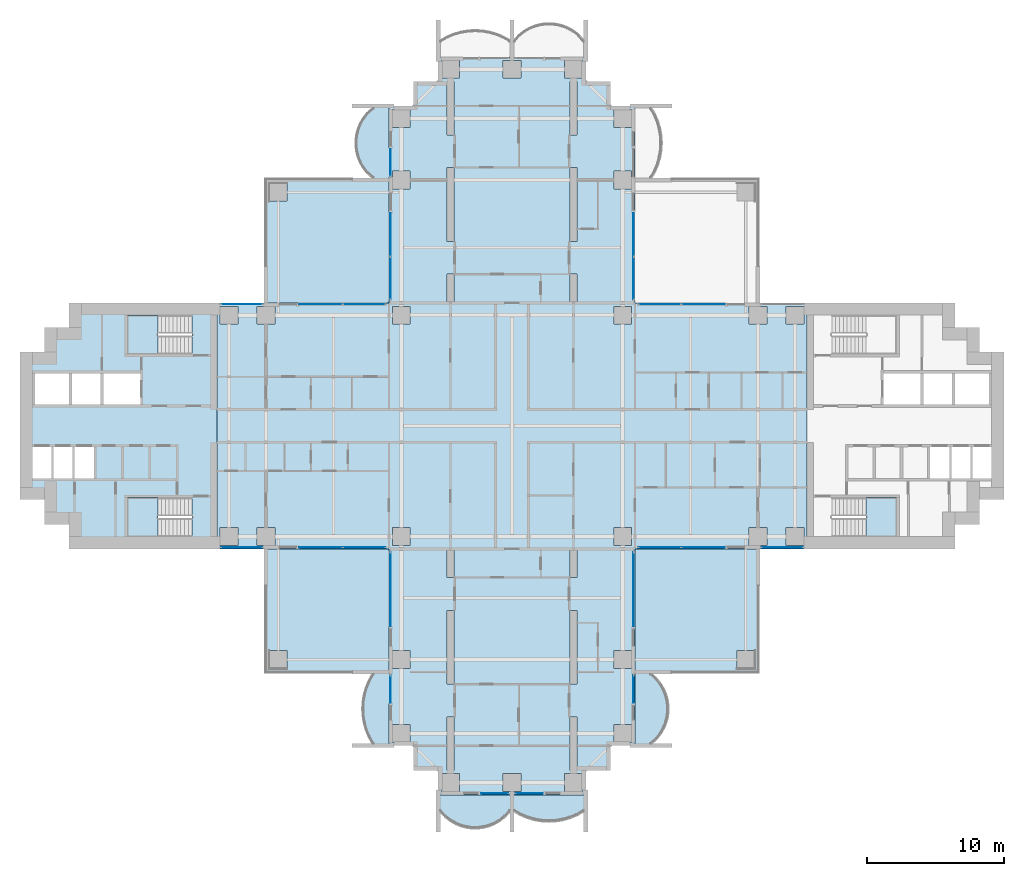
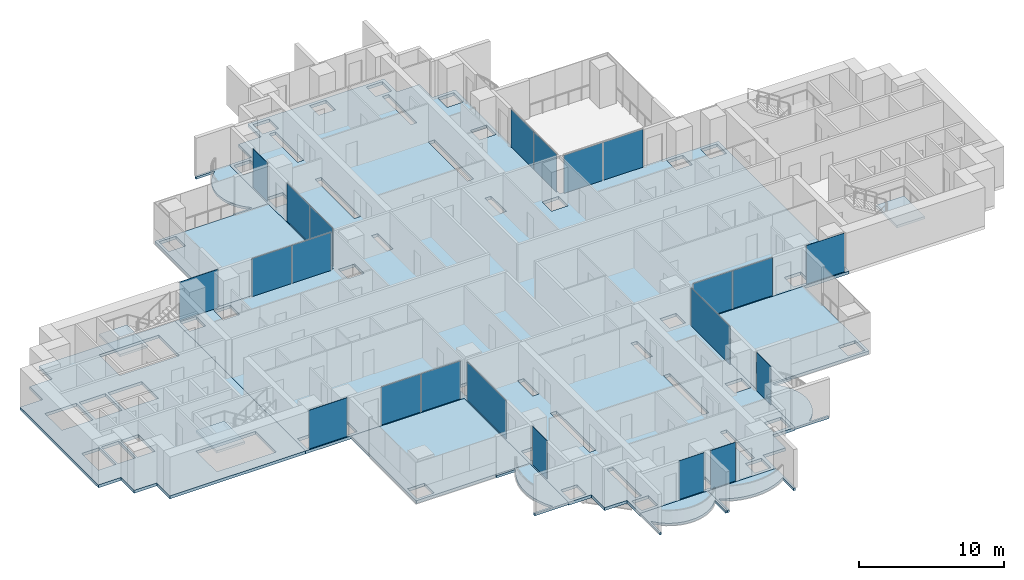
# One storey, part 8 of 20: 22 plates, 13 slabs, 19 elements without a shape of their own.
"""IFC4 building model written with IfcOpenShell, lengths in metres."""

from ifc_helpers import new_model, si_unit, direction, frame, origin, origin_2d, place, context, subcontext, project, spatial, polyline, rectangle, outline, extrude, material, layer, layer_set, type_object, element, aggregate, save


model = new_model("IFC4")

# Units and contexts
model_context = context("Model", 3, precision=1e-05, world=origin(), true_north=direction((0.0, 1.0)))
body_context = subcontext(model_context, "Body", "Model", "MODEL_VIEW")
ifc_project = project(units=[si_unit("LENGTHUNIT", "METRE"), si_unit("AREAUNIT", "SQUARE_METRE"), si_unit("VOLUMEUNIT", "CUBIC_METRE"), si_unit("PLANEANGLEUNIT", "RADIAN"), si_unit("MASSUNIT", "GRAM", prefix="KILO")], contexts=[model_context])

# Site, building, storey
site_placement = place(None, origin())
site = spatial("IfcSite", under=ifc_project, at=site_placement, CompositionType="ELEMENT")
building_placement = place(site_placement, origin())
building = spatial("IfcBuilding", under=site, at=building_placement, Name="Perihelion Cross Residences", CompositionType="ELEMENT")
storey_placement = place(building_placement, frame((0.0, 0.0, 78.5)))
storey = spatial("IfcBuildingStorey", under=building, at=storey_placement, Name="L17", CompositionType="ELEMENT", Elevation=78.5)

# Slabs
ifc_material_1 = material(Name="Concrete C40/50", Category="concrete")
ifc_layer_1 = layer(ifc_material_1, 0.199951171875)
ifc_layer_set_1 = layer_set([ifc_layer_1], Name="Balcony slab 200")
slab_type_1 = type_object("IfcSlabType", Name="Balcony slab 200", PredefinedType="FLOOR", material=ifc_layer_set_1)
slab_1_placement = place(storey_placement, frame((0.0, 0.0, -0.199951171875)))
element("IfcSlab", 1, at=slab_1_placement, inside=storey, type_object=slab_type_1, Name="Slab BK1 L17 north side west bay 1 balcony", PredefinedType="FLOOR", context=body_context, shape_type="SweptSolid", body=[
    extrude(outline(polyline([(-9.0, 23.39990234375), (-9.0, 18.0), (-11.699951171875, 18.0), (-11.699951171875, 18.14990234375), (-10.199951171875, 18.14990234375), (-10.622314453125, 18.542236328125), (-10.924072265625, 18.9345703125), (-11.143310546875, 19.326904296875), (-11.29736328125, 19.71923828125), (-11.39599609375, 20.111572265625), (-11.444091796875, 20.50390625), (-11.444091796875, 20.896240234375), (-11.39599609375, 21.28857421875), (-11.29736328125, 21.6806640625), (-11.143310546875, 22.072998046875), (-10.924072265625, 22.46533203125), (-10.622314453125, 22.857666015625), (-10.199951171875, 23.25), (-11.699951171875, 23.25), (-11.699951171875, 23.39990234375), (-9.0, 23.39990234375)])), origin(), (0.0, 0.0, 1.0), 0.199951171875),
])
slab_2_placement = place(storey_placement, frame((0.0, 0.0, -0.199951171875)))
element("IfcSlab", 2, at=slab_2_placement, inside=storey, type_object=slab_type_1, Name="Slab BK1 L17 south side west bay 2 balcony", PredefinedType="FLOOR", context=body_context, shape_type="SweptSolid", body=[
    extrude(outline(polyline([(-9.0, -18.0), (-9.0, -23.39990234375), (-11.699951171875, -23.39990234375), (-11.699951171875, -23.25), (-10.199951171875, -23.25), (-10.4853515625, -22.739990234375), (-10.694580078125, -22.22998046875), (-10.838134765625, -21.719970703125), (-10.92236328125, -21.2099609375), (-10.949951171875, -20.699951171875), (-10.92236328125, -20.18994140625), (-10.838134765625, -19.679931640625), (-10.694580078125, -19.169921875), (-10.4853515625, -18.659912109375), (-10.199951171875, -18.14990234375), (-11.699951171875, -18.14990234375), (-11.699951171875, -18.0), (-9.0, -18.0)])), origin(), (0.0, 0.0, 1.0), 0.199951171875),
])
slab_3_placement = place(storey_placement, frame((0.0, 0.0, -0.199951171875)))
element("IfcSlab", 3, at=slab_3_placement, inside=storey, type_object=slab_type_1, Name="Slab BK1 L17 south tip south bay 1 balcony", PredefinedType="FLOOR", context=body_context, shape_type="SweptSolid", body=[
    extrude(outline(polyline([(-5.39990234375, -27.0), (0.0, -27.0), (0.0, -29.699951171875), (-0.14990234375, -29.699951171875), (-0.14990234375, -28.199951171875), (-0.542236328125, -28.622314453125), (-0.9345703125, -28.924072265625), (-1.326904296875, -29.143310546875), (-1.71923828125, -29.29736328125), (-2.111572265625, -29.39599609375), (-2.50390625, -29.444091796875), (-2.896240234375, -29.444091796875), (-3.28857421875, -29.39599609375), (-3.6806640625, -29.29736328125), (-4.072998046875, -29.143310546875), (-4.46533203125, -28.924072265625), (-4.857666015625, -28.622314453125), (-5.25, -28.199951171875), (-5.25, -29.699951171875), (-5.39990234375, -29.699951171875), (-5.39990234375, -27.0)])), origin(), (0.0, 0.0, 1.0), 0.199951171875),
])
slab_4_placement = place(storey_placement, frame((0.0, 0.0, -0.199951171875)))
element("IfcSlab", 4, at=slab_4_placement, inside=storey, type_object=slab_type_1, Name="Slab BK1 L17 south tip south bay 2 balcony", PredefinedType="FLOOR", context=body_context, shape_type="SweptSolid", body=[
    extrude(outline(polyline([(0.0, -27.0), (5.39990234375, -27.0), (5.39990234375, -29.699951171875), (5.25, -29.699951171875), (5.25, -28.199951171875), (4.739990234375, -28.4853515625), (4.22998046875, -28.694580078125), (3.719970703125, -28.838134765625), (3.2099609375, -28.92236328125), (2.699951171875, -28.949951171875), (2.18994140625, -28.92236328125), (1.679931640625, -28.838134765625), (1.169921875, -28.694580078125), (0.659912109375, -28.4853515625), (0.14990234375, -28.199951171875), (0.14990234375, -29.699951171875), (0.0, -29.699951171875), (0.0, -27.0)])), origin(), (0.0, 0.0, 1.0), 0.199951171875),
])
slab_5_placement = place(storey_placement, frame((0.0, 0.0, -0.199951171875)))
element("IfcSlab", 5, at=slab_5_placement, inside=storey, type_object=slab_type_1, Name="Slab BK1 L17 south side east bay 1 balcony", PredefinedType="FLOOR", context=body_context, shape_type="SweptSolid", body=[
    extrude(outline(polyline([(9.0, -23.39990234375), (9.0, -18.0), (11.699951171875, -18.0), (11.699951171875, -18.14990234375), (10.199951171875, -18.14990234375), (10.622314453125, -18.542236328125), (10.924072265625, -18.9345703125), (11.143310546875, -19.326904296875), (11.29736328125, -19.71923828125), (11.39599609375, -20.111572265625), (11.444091796875, -20.50390625), (11.444091796875, -20.896240234375), (11.39599609375, -21.28857421875), (11.29736328125, -21.6806640625), (11.143310546875, -22.072998046875), (10.924072265625, -22.46533203125), (10.622314453125, -22.857666015625), (10.199951171875, -23.25), (11.699951171875, -23.25), (11.699951171875, -23.39990234375), (9.0, -23.39990234375)])), origin(), (0.0, 0.0, 1.0), 0.199951171875),
])

# Curtain wall, plates
ifc_material_2 = material(Name="Bronze anodised aluminium, tinted glazing", Category="aluminium")
curtain_wall_type = type_object("IfcCurtainWallType", Name="CW1", PredefinedType="NOTDEFINED", material=ifc_material_2)
curtain_wall_1_placement = place(storey_placement, origin())
curtain_wall_1 = element("IfcCurtainWall", 6, at=curtain_wall_1_placement, inside=storey, type_object=curtain_wall_type, Name="Curtain wall CW1 L17 east side north bay 2", PredefinedType="NOTDEFINED")
ifc_material_3 = material(Name="Tinted laminated glass", Category="glass")
ifc_layer_2 = layer(ifc_material_3, 0.028076171875)
ifc_layer_set_2 = layer_set([ifc_layer_2], Name="CW1 panel")
plate_type = type_object("IfcPlateType", Name="CW1 panel", PredefinedType="CURTAIN_PANEL", material=ifc_layer_set_2)
plate_1_placement = place(storey_placement, frame((13.9775390625, 8.89990234375, 0.0), z_axis=(0.0, 0.0, 1.0), x_axis=(-1.0, 0.0, 0.0)))
plate_1 = element("IfcPlate", 7, at=plate_1_placement, type_object=plate_type, Name="CW1 panel 1", PredefinedType="CURTAIN_PANEL", context=body_context, shape_type="SweptSolid", body=[
    extrude(rectangle(XDim=3.14501953125, YDim=0.028076171875, at=origin_2d()), origin(), (0.0, 0.0, 1.0), 3.18994140625),
])
plate_2_placement = place(storey_placement, frame((10.802490234375, 8.89990234375, 0.0), z_axis=(0.0, 0.0, 1.0), x_axis=(-1.0, 0.0, 0.0)))
plate_2 = element("IfcPlate", 8, at=plate_2_placement, type_object=plate_type, Name="CW1 panel 2", PredefinedType="CURTAIN_PANEL", context=body_context, shape_type="SweptSolid", body=[
    extrude(rectangle(XDim=3.0849609375, YDim=0.028076171875, at=origin_2d()), origin(), (0.0, 0.0, 1.0), 3.18994140625),
])
aggregate(curtain_wall_1, [plate_1, plate_2])

curtain_wall_2_placement = place(storey_placement, origin())
curtain_wall_2 = element("IfcCurtainWall", 9, at=curtain_wall_2_placement, inside=storey, type_object=curtain_wall_type, Name="Curtain wall CW1 L17 north side east bay 1", PredefinedType="NOTDEFINED")
plate_3_placement = place(storey_placement, frame((8.89990234375, 10.802490234375, 0.0), z_axis=(0.0, 0.0, 1.0), x_axis=(0.0, 1.0, 0.0)))
plate_3 = element("IfcPlate", 10, at=plate_3_placement, type_object=plate_type, Name="CW1 panel 1", PredefinedType="CURTAIN_PANEL", context=body_context, shape_type="SweptSolid", body=[
    extrude(rectangle(XDim=3.0849609375, YDim=0.028076171875, at=origin_2d()), origin(), (0.0, 0.0, 1.0), 3.18994140625),
])
plate_4_placement = place(storey_placement, frame((8.89990234375, 13.9775390625, 0.0), z_axis=(0.0, 0.0, 1.0), x_axis=(0.0, 1.0, 0.0)))
plate_4 = element("IfcPlate", 11, at=plate_4_placement, type_object=plate_type, Name="CW1 panel 2", PredefinedType="CURTAIN_PANEL", context=body_context, shape_type="SweptSolid", body=[
    extrude(rectangle(XDim=3.14501953125, YDim=0.028076171875, at=origin_2d()), origin(), (0.0, 0.0, 1.0), 3.18994140625),
])
aggregate(curtain_wall_2, [plate_3, plate_4])

# Curtain wall, plate
curtain_wall_3_placement = place(storey_placement, origin())
curtain_wall_3 = element("IfcCurtainWall", 12, at=curtain_wall_3_placement, inside=storey, type_object=curtain_wall_type, Name="Curtain wall CW1 L17 north side west bay 1", PredefinedType="NOTDEFINED")
plate_5_placement = place(storey_placement, frame((-8.89990234375, 19.2548828125, 0.0), z_axis=(0.0, 0.0, 1.0), x_axis=(0.0, -1.0, 0.0)))
plate_5 = element("IfcPlate", 13, at=plate_5_placement, type_object=plate_type, Name="CW1 panel 1", PredefinedType="CURTAIN_PANEL", context=body_context, shape_type="SweptSolid", body=[
    extrude(rectangle(XDim=1.989990234375, YDim=0.028076171875, at=origin_2d()), origin(), (0.0, 0.0, 1.0), 3.25),
])
aggregate(curtain_wall_3, [plate_5])

# Curtain wall, plates
curtain_wall_4_placement = place(storey_placement, origin())
curtain_wall_4 = element("IfcCurtainWall", 14, at=curtain_wall_4_placement, inside=storey, type_object=curtain_wall_type, Name="Curtain wall CW1 L17 north side west bay 2", PredefinedType="NOTDEFINED")
plate_6_placement = place(storey_placement, frame((-8.89990234375, 13.9775390625, 0.0), z_axis=(0.0, 0.0, 1.0), x_axis=(0.0, -1.0, 0.0)))
plate_6 = element("IfcPlate", 15, at=plate_6_placement, type_object=plate_type, Name="CW1 panel 1", PredefinedType="CURTAIN_PANEL", context=body_context, shape_type="SweptSolid", body=[
    extrude(rectangle(XDim=3.14501953125, YDim=0.028076171875, at=origin_2d()), origin(), (0.0, 0.0, 1.0), 3.18994140625),
])
plate_7_placement = place(storey_placement, frame((-8.89990234375, 10.802490234375, 0.0), z_axis=(0.0, 0.0, 1.0), x_axis=(0.0, -1.0, 0.0)))
plate_7 = element("IfcPlate", 16, at=plate_7_placement, type_object=plate_type, Name="CW1 panel 2", PredefinedType="CURTAIN_PANEL", context=body_context, shape_type="SweptSolid", body=[
    extrude(rectangle(XDim=3.0849609375, YDim=0.028076171875, at=origin_2d()), origin(), (0.0, 0.0, 1.0), 3.18994140625),
])
aggregate(curtain_wall_4, [plate_6, plate_7])

curtain_wall_5_placement = place(storey_placement, origin())
curtain_wall_5 = element("IfcCurtainWall", 17, at=curtain_wall_5_placement, inside=storey, type_object=curtain_wall_type, Name="Curtain wall CW1 L17 west side north bay 1", PredefinedType="NOTDEFINED")
plate_8_placement = place(storey_placement, frame((-10.802490234375, 8.89990234375, 0.0), z_axis=(0.0, 0.0, 1.0), x_axis=(-1.0, 0.0, 0.0)))
plate_8 = element("IfcPlate", 18, at=plate_8_placement, type_object=plate_type, Name="CW1 panel 1", PredefinedType="CURTAIN_PANEL", context=body_context, shape_type="SweptSolid", body=[
    extrude(rectangle(XDim=3.0849609375, YDim=0.028076171875, at=origin_2d()), origin(), (0.0, 0.0, 1.0), 3.18994140625),
])
plate_9_placement = place(storey_placement, frame((-13.9775390625, 8.89990234375, 0.0), z_axis=(0.0, 0.0, 1.0), x_axis=(-1.0, 0.0, 0.0)))
plate_9 = element("IfcPlate", 19, at=plate_9_placement, type_object=plate_type, Name="CW1 panel 2", PredefinedType="CURTAIN_PANEL", context=body_context, shape_type="SweptSolid", body=[
    extrude(rectangle(XDim=3.14501953125, YDim=0.028076171875, at=origin_2d()), origin(), (0.0, 0.0, 1.0), 3.18994140625),
])
aggregate(curtain_wall_5, [plate_8, plate_9])

# Curtain wall, plate
curtain_wall_6_placement = place(storey_placement, origin())
curtain_wall_6 = element("IfcCurtainWall", 20, at=curtain_wall_6_placement, inside=storey, type_object=curtain_wall_type, Name="Curtain wall CW1 L17 west side north bay 2", PredefinedType="NOTDEFINED")
plate_10_placement = place(storey_placement, frame((-19.77490234375, 8.89990234375, 0.0), z_axis=(0.0, 0.0, 1.0), x_axis=(-1.0, 0.0, 0.0)))
plate_10 = element("IfcPlate", 21, at=plate_10_placement, type_object=plate_type, Name="CW1 panel 1", PredefinedType="CURTAIN_PANEL", context=body_context, shape_type="SweptSolid", body=[
    extrude(rectangle(XDim=3.030029296875, YDim=0.028076171875, at=origin_2d()), origin(), (0.0, 0.0, 1.0), 3.25),
])
aggregate(curtain_wall_6, [plate_10])

curtain_wall_7_placement = place(storey_placement, origin())
curtain_wall_7 = element("IfcCurtainWall", 22, at=curtain_wall_7_placement, inside=storey, type_object=curtain_wall_type, Name="Curtain wall CW1 L17 west side south bay 1", PredefinedType="NOTDEFINED")
plate_11_placement = place(storey_placement, frame((-19.77490234375, -8.89990234375, 0.0), z_axis=(0.0, 0.0, 1.0), x_axis=(1.0, 0.0, 0.0)))
plate_11 = element("IfcPlate", 23, at=plate_11_placement, type_object=plate_type, Name="CW1 panel 1", PredefinedType="CURTAIN_PANEL", context=body_context, shape_type="SweptSolid", body=[
    extrude(rectangle(XDim=3.030029296875, YDim=0.028076171875, at=origin_2d()), origin(), (0.0, 0.0, 1.0), 3.25),
])
aggregate(curtain_wall_7, [plate_11])

# Curtain wall, plates
curtain_wall_8_placement = place(storey_placement, origin())
curtain_wall_8 = element("IfcCurtainWall", 24, at=curtain_wall_8_placement, inside=storey, type_object=curtain_wall_type, Name="Curtain wall CW1 L17 west side south bay 2", PredefinedType="NOTDEFINED")
plate_12_placement = place(storey_placement, frame((-13.9775390625, -8.89990234375, 0.0), z_axis=(0.0, 0.0, 1.0), x_axis=(1.0, 0.0, 0.0)))
plate_12 = element("IfcPlate", 25, at=plate_12_placement, type_object=plate_type, Name="CW1 panel 1", PredefinedType="CURTAIN_PANEL", context=body_context, shape_type="SweptSolid", body=[
    extrude(rectangle(XDim=3.14501953125, YDim=0.028076171875, at=origin_2d()), origin(), (0.0, 0.0, 1.0), 3.18994140625),
])
plate_13_placement = place(storey_placement, frame((-10.802490234375, -8.89990234375, 0.0), z_axis=(0.0, 0.0, 1.0), x_axis=(1.0, 0.0, 0.0)))
plate_13 = element("IfcPlate", 26, at=plate_13_placement, type_object=plate_type, Name="CW1 panel 2", PredefinedType="CURTAIN_PANEL", context=body_context, shape_type="SweptSolid", body=[
    extrude(rectangle(XDim=3.0849609375, YDim=0.028076171875, at=origin_2d()), origin(), (0.0, 0.0, 1.0), 3.18994140625),
])
aggregate(curtain_wall_8, [plate_12, plate_13])

# Curtain wall, plate
curtain_wall_9_placement = place(storey_placement, origin())
curtain_wall_9 = element("IfcCurtainWall", 27, at=curtain_wall_9_placement, inside=storey, type_object=curtain_wall_type, Name="Curtain wall CW1 L17 south side west bay 1", PredefinedType="NOTDEFINED")
plate_14_placement = place(storey_placement, frame((-8.89990234375, -11.955078125, 0.0), z_axis=(0.0, 0.0, 1.0), x_axis=(0.0, -1.0, 0.0)))
plate_14 = element("IfcPlate", 28, at=plate_14_placement, type_object=plate_type, Name="CW1 panel 1", PredefinedType="CURTAIN_PANEL", context=body_context, shape_type="SweptSolid", body=[
    extrude(rectangle(XDim=5.389892578125, YDim=0.028076171875, at=origin_2d()), origin(), (0.0, 0.0, 1.0), 3.18994140625),
])
aggregate(curtain_wall_9, [plate_14])

curtain_wall_10_placement = place(storey_placement, origin())
curtain_wall_10 = element("IfcCurtainWall", 29, at=curtain_wall_10_placement, inside=storey, type_object=curtain_wall_type, Name="Curtain wall CW1 L17 south side west bay 2", PredefinedType="NOTDEFINED")
plate_15_placement = place(storey_placement, frame((-8.89990234375, -19.2548828125, 0.0), z_axis=(0.0, 0.0, 1.0), x_axis=(0.0, -1.0, 0.0)))
plate_15 = element("IfcPlate", 30, at=plate_15_placement, type_object=plate_type, Name="CW1 panel 1", PredefinedType="CURTAIN_PANEL", context=body_context, shape_type="SweptSolid", body=[
    extrude(rectangle(XDim=1.989990234375, YDim=0.028076171875, at=origin_2d()), origin(), (0.0, 0.0, 1.0), 3.25),
])
aggregate(curtain_wall_10, [plate_15])

curtain_wall_11_placement = place(storey_placement, origin())
curtain_wall_11 = element("IfcCurtainWall", 31, at=curtain_wall_11_placement, inside=storey, type_object=curtain_wall_type, Name="Curtain wall CW1 L17 south tip south bay 1", PredefinedType="NOTDEFINED")
plate_16_placement = place(storey_placement, frame((-1.2548828125, -26.89990234375, 0.0), z_axis=(0.0, 0.0, 1.0), x_axis=(1.0, 0.0, 0.0)))
plate_16 = element("IfcPlate", 32, at=plate_16_placement, type_object=plate_type, Name="CW1 panel 1", PredefinedType="CURTAIN_PANEL", context=body_context, shape_type="SweptSolid", body=[
    extrude(rectangle(XDim=1.989990234375, YDim=0.028076171875, at=origin_2d()), origin(), (0.0, 0.0, 1.0), 3.25),
])
aggregate(curtain_wall_11, [plate_16])

curtain_wall_12_placement = place(storey_placement, origin())
curtain_wall_12 = element("IfcCurtainWall", 33, at=curtain_wall_12_placement, inside=storey, type_object=curtain_wall_type, Name="Curtain wall CW1 L17 south tip south bay 2", PredefinedType="NOTDEFINED")
plate_17_placement = place(storey_placement, frame((1.2548828125, -26.89990234375, 0.0), z_axis=(0.0, 0.0, 1.0), x_axis=(1.0, 0.0, 0.0)))
plate_17 = element("IfcPlate", 34, at=plate_17_placement, type_object=plate_type, Name="CW1 panel 1", PredefinedType="CURTAIN_PANEL", context=body_context, shape_type="SweptSolid", body=[
    extrude(rectangle(XDim=1.989990234375, YDim=0.028076171875, at=origin_2d()), origin(), (0.0, 0.0, 1.0), 3.25),
])
aggregate(curtain_wall_12, [plate_17])

curtain_wall_13_placement = place(storey_placement, origin())
curtain_wall_13 = element("IfcCurtainWall", 35, at=curtain_wall_13_placement, inside=storey, type_object=curtain_wall_type, Name="Curtain wall CW1 L17 south side east bay 1", PredefinedType="NOTDEFINED")
plate_18_placement = place(storey_placement, frame((8.89990234375, -19.2548828125, 0.0), z_axis=(0.0, 0.0, 1.0), x_axis=(0.0, 1.0, 0.0)))
plate_18 = element("IfcPlate", 36, at=plate_18_placement, type_object=plate_type, Name="CW1 panel 1", PredefinedType="CURTAIN_PANEL", context=body_context, shape_type="SweptSolid", body=[
    extrude(rectangle(XDim=1.989990234375, YDim=0.028076171875, at=origin_2d()), origin(), (0.0, 0.0, 1.0), 3.25),
])
aggregate(curtain_wall_13, [plate_18])

curtain_wall_14_placement = place(storey_placement, origin())
curtain_wall_14 = element("IfcCurtainWall", 37, at=curtain_wall_14_placement, inside=storey, type_object=curtain_wall_type, Name="Curtain wall CW1 L17 south side east bay 2", PredefinedType="NOTDEFINED")
plate_19_placement = place(storey_placement, frame((8.89990234375, -11.955078125, 0.0), z_axis=(0.0, 0.0, 1.0), x_axis=(0.0, 1.0, 0.0)))
plate_19 = element("IfcPlate", 38, at=plate_19_placement, type_object=plate_type, Name="CW1 panel 1", PredefinedType="CURTAIN_PANEL", context=body_context, shape_type="SweptSolid", body=[
    extrude(rectangle(XDim=5.389892578125, YDim=0.028076171875, at=origin_2d()), origin(), (0.0, 0.0, 1.0), 3.18994140625),
])
aggregate(curtain_wall_14, [plate_19])

# Curtain wall, plates
curtain_wall_15_placement = place(storey_placement, origin())
curtain_wall_15 = element("IfcCurtainWall", 39, at=curtain_wall_15_placement, inside=storey, type_object=curtain_wall_type, Name="Curtain wall CW1 L17 east side south bay 1", PredefinedType="NOTDEFINED")
plate_20_placement = place(storey_placement, frame((10.802490234375, -8.89990234375, 0.0), z_axis=(0.0, 0.0, 1.0), x_axis=(1.0, 0.0, 0.0)))
plate_20 = element("IfcPlate", 40, at=plate_20_placement, type_object=plate_type, Name="CW1 panel 1", PredefinedType="CURTAIN_PANEL", context=body_context, shape_type="SweptSolid", body=[
    extrude(rectangle(XDim=3.0849609375, YDim=0.028076171875, at=origin_2d()), origin(), (0.0, 0.0, 1.0), 3.18994140625),
])
plate_21_placement = place(storey_placement, frame((13.9775390625, -8.89990234375, 0.0), z_axis=(0.0, 0.0, 1.0), x_axis=(1.0, 0.0, 0.0)))
plate_21 = element("IfcPlate", 41, at=plate_21_placement, type_object=plate_type, Name="CW1 panel 2", PredefinedType="CURTAIN_PANEL", context=body_context, shape_type="SweptSolid", body=[
    extrude(rectangle(XDim=3.14501953125, YDim=0.028076171875, at=origin_2d()), origin(), (0.0, 0.0, 1.0), 3.18994140625),
])
aggregate(curtain_wall_15, [plate_20, plate_21])

# Curtain wall, plate
curtain_wall_16_placement = place(storey_placement, origin())
curtain_wall_16 = element("IfcCurtainWall", 42, at=curtain_wall_16_placement, inside=storey, type_object=curtain_wall_type, Name="Curtain wall CW1 L17 east side south bay 2", PredefinedType="NOTDEFINED")
plate_22_placement = place(storey_placement, frame((19.77490234375, -8.89990234375, 0.0), z_axis=(0.0, 0.0, 1.0), x_axis=(1.0, 0.0, 0.0)))
plate_22 = element("IfcPlate", 43, at=plate_22_placement, type_object=plate_type, Name="CW1 panel 1", PredefinedType="CURTAIN_PANEL", context=body_context, shape_type="SweptSolid", body=[
    extrude(rectangle(XDim=3.030029296875, YDim=0.028076171875, at=origin_2d()), origin(), (0.0, 0.0, 1.0), 3.25),
])
aggregate(curtain_wall_16, [plate_22])

# Slabs
ifc_material_4 = material(Name="Concrete C40/50", Category="concrete")
ifc_layer_3 = layer(ifc_material_4, 0.25)
ifc_layer_set_3 = layer_set([ifc_layer_3], Name="Core floor slab 250")
slab_type_2 = type_object("IfcSlabType", Name="Core floor slab 250", PredefinedType="FLOOR", material=ifc_layer_set_3)
slab_6_placement = place(storey_placement, frame((0.0, 0.0, -0.25)))
element("IfcSlab", 44, at=slab_6_placement, inside=storey, type_object=slab_type_2, Name="West core floor slab", PredefinedType="FLOOR", context=body_context, shape_type="SweptSolid", body=[
    extrude(outline(polyline([(-32.39990234375, 7.199951171875), (-34.199951171875, 7.199951171875), (-34.199951171875, 5.39990234375), (-36.0, 5.39990234375), (-36.0, -5.39990234375), (-34.199951171875, -5.39990234375), (-34.199951171875, -7.199951171875), (-32.39990234375, -7.199951171875), (-32.39990234375, -9.0), (-21.60009765625, -9.0), (-21.60009765625, 9.0), (-32.39990234375, 9.0), (-32.39990234375, 7.199951171875)]), holes=[polyline([(-23.405029296875, -8.10009765625), (-28.14990234375, -8.10009765625), (-28.14990234375, -5.25), (-23.405029296875, -5.25), (-23.405029296875, -8.10009765625)]), polyline([(-30.60009765625, -1.550048828125), (-30.60009765625, -3.85009765625), (-32.0, -3.85009765625), (-32.0, -1.550048828125), (-30.60009765625, -1.550048828125)]), polyline([(-32.14990234375, -1.550048828125), (-32.14990234375, -3.85009765625), (-33.550048828125, -3.85009765625), (-33.550048828125, -1.550048828125), (-32.14990234375, -1.550048828125)]), polyline([(-33.699951171875, -1.550048828125), (-33.699951171875, -3.85009765625), (-35.10009765625, -3.85009765625), (-35.10009765625, -1.550048828125), (-33.699951171875, -1.550048828125)]), polyline([(-27.199951171875, 3.85009765625), (-27.199951171875, 1.550048828125), (-29.89990234375, 1.550048828125), (-29.89990234375, 3.85009765625), (-27.199951171875, 3.85009765625)]), polyline([(-30.10009765625, 3.85009765625), (-30.10009765625, 1.550048828125), (-32.199951171875, 1.550048828125), (-32.199951171875, 3.85009765625), (-30.10009765625, 3.85009765625)]), polyline([(-32.39990234375, 3.85009765625), (-32.39990234375, 1.550048828125), (-34.89990234375, 1.550048828125), (-34.89990234375, 3.85009765625), (-32.39990234375, 3.85009765625)]), polyline([(-23.405029296875, 5.25), (-28.14990234375, 5.25), (-28.14990234375, 8.10009765625), (-23.405029296875, 8.10009765625), (-23.405029296875, 5.25)])]), origin(), (0.0, 0.0, 1.0), 0.25),
])
ifc_material_5 = material(Name="Concrete C40/50", Category="concrete")
ifc_layer_4 = layer(ifc_material_5, 0.25)
ifc_layer_set_4 = layer_set([ifc_layer_4], Name="Corner terrace slab")
slab_type_3 = type_object("IfcSlabType", Name="Corner terrace slab", PredefinedType="FLOOR", material=ifc_layer_set_4)
slab_7_placement = place(storey_placement, frame((0.0, 0.0, -0.25)))
element("IfcSlab", 45, at=slab_7_placement, inside=storey, type_object=slab_type_3, Name="Slab BK2 L17 pocket north-west", PredefinedType="FLOOR", context=body_context, shape_type="SweptSolid", body=[
    extrude(outline(polyline([(-9.0, 9.0), (-9.0, 18.0), (-18.0, 18.0), (-18.0, 9.0), (-9.0, 9.0)]), holes=[polyline([(-17.7900390625, 16.409912109375), (-17.7900390625, 17.7900390625), (-16.449951171875, 17.7900390625), (-16.449951171875, 16.449951171875), (-17.75, 16.449951171875), (-17.75, 16.409912109375), (-17.7900390625, 16.409912109375)])]), origin(), (0.0, 0.0, 1.0), 0.25),
])
slab_8_placement = place(storey_placement, frame((0.0, 0.0, -0.25)))
element("IfcSlab", 46, at=slab_8_placement, inside=storey, type_object=slab_type_3, Name="Slab BK2 L17 pocket south-west", PredefinedType="FLOOR", context=body_context, shape_type="SweptSolid", body=[
    extrude(outline(polyline([(-9.0, -18.0), (-9.0, -9.0), (-18.0, -9.0), (-18.0, -18.0), (-9.0, -18.0)]), holes=[polyline([(-17.7900390625, -16.409912109375), (-17.75, -16.409912109375), (-17.75, -16.449951171875), (-16.449951171875, -16.449951171875), (-16.449951171875, -17.7900390625), (-17.7900390625, -17.7900390625), (-17.7900390625, -16.409912109375)])]), origin(), (0.0, 0.0, 1.0), 0.25),
])
slab_9_placement = place(storey_placement, frame((0.0, 0.0, -0.25)))
element("IfcSlab", 47, at=slab_9_placement, inside=storey, type_object=slab_type_3, Name="Slab BK2 L17 pocket south-east", PredefinedType="FLOOR", context=body_context, shape_type="SweptSolid", body=[
    extrude(outline(polyline([(18.0, -18.0), (18.0, -9.0), (9.0, -9.0), (9.0, -18.0), (18.0, -18.0)]), holes=[polyline([(16.449951171875, -17.7900390625), (16.449951171875, -16.449951171875), (17.75, -16.449951171875), (17.75, -16.409912109375), (17.7900390625, -16.409912109375), (17.7900390625, -17.7900390625), (16.449951171875, -17.7900390625)])]), origin(), (0.0, 0.0, 1.0), 0.25),
])

# Stair, slab
ifc_material_6 = material(Name="Concrete C40/50", Category="concrete")
stair_type = type_object("IfcStairType", Name="Exit stair, half-turn", PredefinedType="HALF_TURN_STAIR", material=ifc_material_6)
stair_1_placement = place(storey_placement, origin())
stair_1 = element("IfcStair", 48, at=stair_1_placement, inside=storey, type_object=stair_type, Name="L17 East core exit stair 2", PredefinedType="HALF_TURN_STAIR")
ifc_material_7 = material(Name="Concrete C40/50", Category="concrete")
ifc_layer_5 = layer(ifc_material_7, 0.199951171875)
ifc_layer_set_5 = layer_set([ifc_layer_5], Name="Exit stair landing 200")
slab_type_4 = type_object("IfcSlabType", Name="Exit stair landing 200", PredefinedType="LANDING", material=ifc_layer_set_5)
slab_10_placement = place(storey_placement, frame((0.0, 0.0, 1.550048828125)))
slab_10 = element("IfcSlab", 49, at=slab_10_placement, type_object=slab_type_4, Name="ST-E2 landing 1", PredefinedType="LANDING", context=body_context, shape_type="SweptSolid", body=[
    extrude(outline(polyline([(25.919921875, -8.10009765625), (28.14990234375, -8.10009765625), (28.14990234375, -5.25), (25.919921875, -5.25), (25.919921875, -8.10009765625)])), origin(), (0.0, 0.0, 1.0), 0.199951171875),
])
aggregate(stair_1, [slab_10])

stair_2_placement = place(storey_placement, origin())
stair_2 = element("IfcStair", 50, at=stair_2_placement, inside=storey, type_object=stair_type, Name="L17 West core exit stair 1", PredefinedType="HALF_TURN_STAIR")
slab_11_placement = place(storey_placement, frame((0.0, 0.0, 1.550048828125)))
slab_11 = element("IfcSlab", 51, at=slab_11_placement, type_object=slab_type_4, Name="ST-W1 landing 1", PredefinedType="LANDING", context=body_context, shape_type="SweptSolid", body=[
    extrude(outline(polyline([(-25.919921875, 8.10009765625), (-28.14990234375, 8.10009765625), (-28.14990234375, 5.25), (-25.919921875, 5.25), (-25.919921875, 8.10009765625)])), origin(), (0.0, 0.0, 1.0), 0.199951171875),
])
aggregate(stair_2, [slab_11])

stair_3_placement = place(storey_placement, origin())
stair_3 = element("IfcStair", 52, at=stair_3_placement, inside=storey, type_object=stair_type, Name="L17 West core exit stair 2", PredefinedType="HALF_TURN_STAIR")
slab_12_placement = place(storey_placement, frame((0.0, 0.0, 1.550048828125)))
slab_12 = element("IfcSlab", 53, at=slab_12_placement, type_object=slab_type_4, Name="ST-W2 landing 1", PredefinedType="LANDING", context=body_context, shape_type="SweptSolid", body=[
    extrude(outline(polyline([(-25.919921875, -5.25), (-28.14990234375, -5.25), (-28.14990234375, -8.10009765625), (-25.919921875, -8.10009765625), (-25.919921875, -5.25)])), origin(), (0.0, 0.0, 1.0), 0.199951171875),
])
aggregate(stair_3, [slab_12])

# Slab
ifc_material_8 = material(Name="Concrete C50/60", Category="concrete")
ifc_layer_6 = layer(ifc_material_8, 0.25)
ifc_layer_set_6 = layer_set([ifc_layer_6], Name="Residential floor post-tensioned slab concrete C50/60")
slab_type_5 = type_object("IfcSlabType", Name="Residential floor post-tensioned slab concrete C50/60", PredefinedType="FLOOR", material=ifc_layer_set_6)
slab_13_placement = place(storey_placement, frame((0.0, 0.0, -0.25)))
element("IfcSlab", 54, at=slab_13_placement, inside=storey, type_object=slab_type_5, Name="Slab SL8 L17 1 no. 1", PredefinedType="FLOOR", context=body_context, shape_type="SweptSolid", body=[
    extrude(outline(polyline([(-9.0, 9.0), (-9.0, 23.39990234375), (-7.199951171875, 23.39990234375), (-7.199951171875, 25.199951171875), (-5.39990234375, 25.199951171875), (-5.39990234375, 27.0), (5.39990234375, 27.0), (5.39990234375, 25.199951171875), (7.199951171875, 25.199951171875), (7.199951171875, 23.39990234375), (9.0, 23.39990234375), (9.0, 9.0), (21.60009765625, 9.0), (21.60009765625, -9.0), (9.0, -9.0), (9.0, -23.39990234375), (7.199951171875, -23.39990234375), (7.199951171875, -25.199951171875), (5.39990234375, -25.199951171875), (5.39990234375, -27.0), (-5.39990234375, -27.0), (-5.39990234375, -25.199951171875), (-7.199951171875, -25.199951171875), (-7.199951171875, -23.39990234375), (-9.0, -23.39990234375), (-9.0, -9.0), (-21.60009765625, -9.0), (-21.60009765625, 9.0), (-9.0, 9.0)]), holes=[polyline([(0.64990234375, -26.75), (0.64990234375, -25.449951171875), (-0.64990234375, -25.449951171875), (-0.64990234375, -26.75), (0.64990234375, -26.75)]), polyline([(-3.85009765625, -26.75), (-3.85009765625, -25.449951171875), (-5.14990234375, -25.449951171875), (-5.14990234375, -26.75), (-3.85009765625, -26.75)]), polyline([(-4.25, -25.199951171875), (-4.25, -21.300048828125), (-4.75, -21.300048828125), (-4.75, -25.199951171875), (-4.25, -25.199951171875)]), polyline([(-8.75, -23.14990234375), (-7.449951171875, -23.14990234375), (-7.449951171875, -21.85009765625), (-8.75, -21.85009765625), (-8.75, -23.14990234375)]), polyline([(-8.75, -17.75), (-7.449951171875, -17.75), (-7.449951171875, -16.449951171875), (-8.75, -16.449951171875), (-8.75, -17.75)]), polyline([(-4.25, -18.89990234375), (-4.25, -13.5), (-4.75, -13.5), (-4.75, -18.89990234375), (-4.25, -18.89990234375)]), polyline([(-4.25, -11.10009765625), (-4.25, -9.0), (-4.75, -9.0), (-4.75, -11.10009765625), (-4.25, -11.10009765625)]), polyline([(-7.449951171875, -8.75), (-7.449951171875, -7.449951171875), (-8.75, -7.449951171875), (-8.75, -8.75), (-7.449951171875, -8.75)]), polyline([(-18.64990234375, -8.75), (-17.35009765625, -8.75), (-17.35009765625, -7.449951171875), (-18.64990234375, -7.449951171875), (-18.64990234375, -8.75)]), polyline([(-21.35009765625, -8.75), (-20.050048828125, -8.75), (-20.050048828125, -7.449951171875), (-21.35009765625, -7.449951171875), (-21.35009765625, -8.75)]), polyline([(-17.35009765625, 7.449951171875), (-17.35009765625, 8.75), (-18.64990234375, 8.75), (-18.64990234375, 7.449951171875), (-17.35009765625, 7.449951171875)]), polyline([(-7.449951171875, 7.449951171875), (-7.449951171875, 8.75), (-8.75, 8.75), (-8.75, 7.449951171875), (-7.449951171875, 7.449951171875)]), polyline([(-21.35009765625, 7.449951171875), (-20.050048828125, 7.449951171875), (-20.050048828125, 8.75), (-21.35009765625, 8.75), (-21.35009765625, 7.449951171875)]), polyline([(-4.75, 9.0), (-4.25, 9.0), (-4.25, 11.10009765625), (-4.75, 11.10009765625), (-4.75, 9.0)]), polyline([(-4.25, 13.5), (-4.25, 18.89990234375), (-4.75, 18.89990234375), (-4.75, 13.5), (-4.25, 13.5)]), polyline([(-7.449951171875, 17.35009765625), (-7.449951171875, 18.64990234375), (-8.75, 18.64990234375), (-8.75, 17.35009765625), (-7.449951171875, 17.35009765625)]), polyline([(-7.449951171875, 21.85009765625), (-7.449951171875, 23.14990234375), (-8.75, 23.14990234375), (-8.75, 21.85009765625), (-7.449951171875, 21.85009765625)]), polyline([(-4.75, 21.300048828125), (-4.25, 21.300048828125), (-4.25, 25.199951171875), (-4.75, 25.199951171875), (-4.75, 21.300048828125)]), polyline([(-5.14990234375, 25.449951171875), (-3.85009765625, 25.449951171875), (-3.85009765625, 26.75), (-5.14990234375, 26.75), (-5.14990234375, 25.449951171875)]), polyline([(5.14990234375, -26.75), (5.14990234375, -25.449951171875), (3.85009765625, -25.449951171875), (3.85009765625, -26.75), (5.14990234375, -26.75)]), polyline([(4.75, -25.199951171875), (4.75, -21.300048828125), (4.25, -21.300048828125), (4.25, -25.199951171875), (4.75, -25.199951171875)]), polyline([(8.75, -23.14990234375), (8.75, -21.85009765625), (7.449951171875, -21.85009765625), (7.449951171875, -23.14990234375), (8.75, -23.14990234375)]), polyline([(7.449951171875, -17.75), (8.75, -17.75), (8.75, -16.449951171875), (7.449951171875, -16.449951171875), (7.449951171875, -17.75)]), polyline([(4.25, -18.89990234375), (4.75, -18.89990234375), (4.75, -13.5), (4.25, -13.5), (4.25, -18.89990234375)]), polyline([(4.75, -11.10009765625), (4.75, -9.0), (4.25, -9.0), (4.25, -11.10009765625), (4.75, -11.10009765625)]), polyline([(18.64990234375, -8.75), (18.64990234375, -7.449951171875), (17.35009765625, -7.449951171875), (17.35009765625, -8.75), (18.64990234375, -8.75)]), polyline([(21.35009765625, -8.75), (21.35009765625, -7.449951171875), (20.050048828125, -7.449951171875), (20.050048828125, -8.75), (21.35009765625, -8.75)]), polyline([(7.449951171875, -8.75), (8.75, -8.75), (8.75, -7.449951171875), (7.449951171875, -7.449951171875), (7.449951171875, -8.75)]), polyline([(21.35009765625, 7.449951171875), (21.35009765625, 8.75), (20.050048828125, 8.75), (20.050048828125, 7.449951171875), (21.35009765625, 7.449951171875)]), polyline([(8.75, 7.449951171875), (8.75, 8.75), (7.449951171875, 8.75), (7.449951171875, 7.449951171875), (8.75, 7.449951171875)]), polyline([(18.64990234375, 7.449951171875), (18.64990234375, 8.75), (17.35009765625, 8.75), (17.35009765625, 7.449951171875), (18.64990234375, 7.449951171875)]), polyline([(4.25, 9.0), (4.75, 9.0), (4.75, 11.10009765625), (4.25, 11.10009765625), (4.25, 9.0)]), polyline([(4.25, 13.5), (4.75, 13.5), (4.75, 18.89990234375), (4.25, 18.89990234375), (4.25, 13.5)]), polyline([(8.75, 17.35009765625), (8.75, 18.64990234375), (7.449951171875, 18.64990234375), (7.449951171875, 17.35009765625), (8.75, 17.35009765625)]), polyline([(8.75, 21.85009765625), (8.75, 23.14990234375), (7.449951171875, 23.14990234375), (7.449951171875, 21.85009765625), (8.75, 21.85009765625)]), polyline([(4.75, 21.300048828125), (4.75, 25.199951171875), (4.25, 25.199951171875), (4.25, 21.300048828125), (4.75, 21.300048828125)]), polyline([(-0.64990234375, 25.449951171875), (0.64990234375, 25.449951171875), (0.64990234375, 26.75), (-0.64990234375, 26.75), (-0.64990234375, 25.449951171875)]), polyline([(3.85009765625, 25.449951171875), (5.14990234375, 25.449951171875), (5.14990234375, 26.75), (3.85009765625, 26.75), (3.85009765625, 25.449951171875)])]), origin(), (0.0, 0.0, 1.0), 0.25),
])

save(model, "model.ifc")
